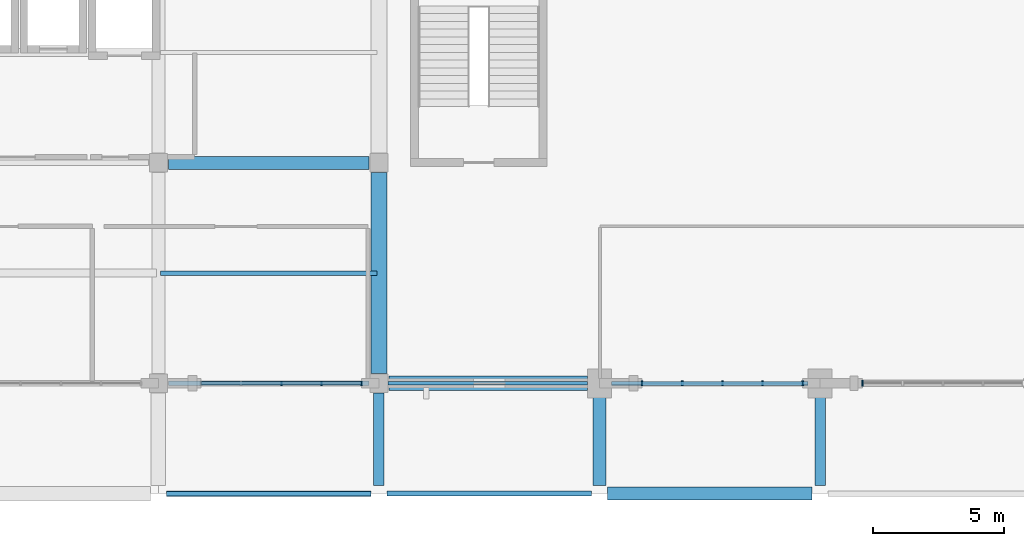
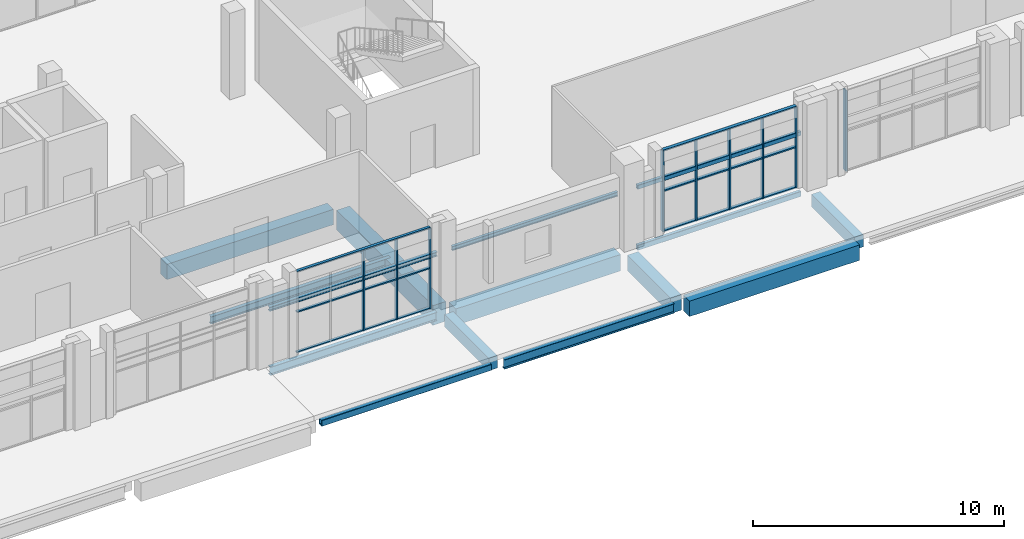
# One storey, part 19 of 59: 15 beams, 15 members, 3 elements without a shape of their own.
"""IFC4 building model written with IfcOpenShell, lengths in metres."""

from ifc_helpers import new_model, si_unit, derived_unit, direction, frame, origin, origin_2d, place, context, subcontext, project, spatial, rectangle, hollow_rectangle, i_section, extrude, material, material_profile, profile_set, type_object, element, aggregate, save


model = new_model("IFC4")

# Units and contexts
model_context = context("Model", 3, precision=1e-05, world=origin(), true_north=direction((0.0, 1.0)))
body_context = subcontext(model_context, "Body", "Model", "MODEL_VIEW")
ifc_project = project(units=[si_unit("LENGTHUNIT", "METRE"), si_unit("AREAUNIT", "SQUARE_METRE"), si_unit("VOLUMEUNIT", "CUBIC_METRE"), si_unit("PLANEANGLEUNIT", "RADIAN"), si_unit("MASSUNIT", "GRAM", prefix="KILO"), derived_unit("THERMALTRANSMITTANCEUNIT", [(si_unit("POWERUNIT", "WATT"), 1), (si_unit("LENGTHUNIT", "METRE"), -2), (si_unit("THERMODYNAMICTEMPERATUREUNIT", "KELVIN"), -1)])], contexts=[model_context])

# Site, building, storey
site_placement = place(None, origin())
site = spatial("IfcSite", under=ifc_project, at=site_placement, CompositionType="ELEMENT")
building_placement = place(site_placement, origin())
building = spatial("IfcBuilding", under=site, at=building_placement, Name="Barrovel Congress Hotel", CompositionType="ELEMENT")
storey_placement = place(building_placement, frame((0.0, 0.0, 9.89990234375)))
storey = spatial("IfcBuildingStorey", under=building, at=storey_placement, Name="L02", CompositionType="ELEMENT", Elevation=9.89990234375)

# Beams
ifc_material_1 = material(Name="Concrete C40", Category="concrete")
ifc_material_profile_1 = material_profile(ifc_material_1, rectangle(XDim=0.39990234375, YDim=0.60009765625, at=origin_2d()), Name="RC400x600")
ifc_profile_set_1 = profile_set([ifc_material_profile_1], Name="Concrete C40")
beam_type_1 = type_object("IfcBeamType", Name="BM-RC400x600", PredefinedType="BEAM", material=ifc_profile_set_1)
beam_1_placement = place(storey_placement, frame((100.800048828125, 0.300048828125, -0.559814453125), z_axis=(0.0, 1.0, 0.0), x_axis=(-1.0, 0.0, 0.0)))
element("IfcBeam", 1, at=beam_1_placement, inside=storey, type_object=beam_type_1, Name="BMY:L02:100.8:0.0-4.2", PredefinedType="BEAM", context=body_context, shape_type="SweptSolid", body=[
    extrude(rectangle(XDim=0.39990234375, YDim=0.60009765625, at=origin_2d()), origin(), (0.0, 0.0, 1.0), 3.52490234375),
])
beam_2_placement = place(storey_placement, frame((117.60009765625, 0.300048828125, -0.559814453125), z_axis=(0.0, 1.0, 0.0), x_axis=(-1.0, 0.0, 0.0)))
element("IfcBeam", 2, at=beam_2_placement, inside=storey, type_object=beam_type_1, Name="BMY:L02:117.6:0.0-4.2", PredefinedType="BEAM", context=body_context, shape_type="SweptSolid", body=[
    extrude(rectangle(XDim=0.39990234375, YDim=0.60009765625, at=origin_2d()), origin(), (0.0, 0.0, 1.0), 3.449951171875),
])
ifc_material_profile_2 = material_profile(ifc_material_1, rectangle(XDim=0.5, YDim=0.75, at=origin_2d()), Name="RC500x750")
ifc_profile_set_2 = profile_set([ifc_material_profile_2], Name="Concrete C40")
beam_type_2 = type_object("IfcBeamType", Name="BM-RC500x750", PredefinedType="BEAM", material=ifc_profile_set_2)
beam_3_placement = place(storey_placement, frame((109.5, 0.0, -0.635009765625), z_axis=(1.0, 0.0, 0.0), x_axis=(0.0, 1.0, 0.0)))
element("IfcBeam", 3, at=beam_3_placement, inside=storey, type_object=beam_type_2, Name="BMX:L02:0.0:109.2-117.6", PredefinedType="BEAM", context=body_context, shape_type="SweptSolid", body=[
    extrude(rectangle(XDim=0.5, YDim=0.75, at=origin_2d()), origin(), (0.0, 0.0, 1.0), 7.800048828125),
])
beam_4_placement = place(storey_placement, frame((92.77490234375, 12.60009765625, -0.635009765625), z_axis=(1.0, 0.0, 0.0), x_axis=(0.0, 1.0, 0.0)))
element("IfcBeam", 4, at=beam_4_placement, inside=storey, type_object=beam_type_2, Name="BMX:L02:12.6:92.4-100.8", PredefinedType="BEAM", context=body_context, shape_type="SweptSolid", body=[
    extrude(rectangle(XDim=0.5, YDim=0.75, at=origin_2d()), origin(), (0.0, 0.0, 1.0), 7.650146484375),
])
beam_5_placement = place(storey_placement, frame((109.199951171875, 0.300048828125, -0.635009765625), z_axis=(0.0, 1.0, 0.0), x_axis=(-1.0, 0.0, 0.0)))
element("IfcBeam", 5, at=beam_5_placement, inside=storey, type_object=beam_type_2, Name="BMY:L02:109.2:0.0-4.2", PredefinedType="BEAM", context=body_context, shape_type="SweptSolid", body=[
    extrude(rectangle(XDim=0.5, YDim=0.75, at=origin_2d()), origin(), (0.0, 0.0, 1.0), 3.449951171875),
])
ifc_material_profile_3 = material_profile(ifc_material_1, rectangle(XDim=0.550048828125, YDim=0.800048828125, at=origin_2d()), Name="RC550x800")
ifc_profile_set_3 = profile_set([ifc_material_profile_3], Name="Concrete C40")
beam_type_3 = type_object("IfcBeamType", Name="BM-RC550x800", PredefinedType="BEAM", material=ifc_profile_set_3)
beam_6_placement = place(storey_placement, frame((101.175048828125, 4.199951171875, -0.659912109375), z_axis=(1.0, 0.0, 0.0), x_axis=(0.0, 1.0, 0.0)))
element("IfcBeam", 6, at=beam_6_placement, inside=storey, type_object=beam_type_3, Name="BMX:L02:4.2:100.8-109.2", PredefinedType="BEAM", context=body_context, shape_type="SweptSolid", body=[
    extrude(rectangle(XDim=0.550048828125, YDim=0.800048828125, at=origin_2d()), origin(), (0.0, 0.0, 1.0), 7.574951171875),
])
ifc_material_profile_4 = material_profile(ifc_material_1, rectangle(XDim=0.60009765625, YDim=0.949951171875, at=origin_2d()), Name="RC600x950")
ifc_profile_set_4 = profile_set([ifc_material_profile_4], Name="Concrete C40")
beam_type_4 = type_object("IfcBeamType", Name="BM-RC600x950", PredefinedType="BEAM", material=ifc_profile_set_4)
beam_7_placement = place(storey_placement, frame((100.800048828125, 4.574951171875, -0.73486328125), z_axis=(0.0, 1.0, 0.0), x_axis=(-1.0, 0.0, 0.0)))
element("IfcBeam", 7, at=beam_7_placement, inside=storey, type_object=beam_type_4, Name="BMY:L02:100.8:4.2-12.6", PredefinedType="BEAM", context=body_context, shape_type="SweptSolid", body=[
    extrude(rectangle(XDim=0.60009765625, YDim=0.949951171875, at=origin_2d()), origin(), (0.0, 0.0, 1.0), 7.650146484375),
])

# Curtain wall, members
ifc_material_2 = material(Name="Anodised Aluminium Alloy 6063-T6", Category="aluminium")
curtain_wall_type = type_object("IfcCurtainWallType", Name="CW-ST-7200x3600", PredefinedType="USERDEFINED", material=ifc_material_2)
curtain_wall_1_placement = place(storey_placement, origin())
curtain_wall_1 = element("IfcCurtainWall", 8, at=curtain_wall_1_placement, inside=storey, type_object=curtain_wall_type, Name="CW:L02:S:11", ObjectType="STICK CURTAIN WALL", PredefinedType="USERDEFINED")
ifc_material_profile_5 = material_profile(ifc_material_2, rectangle(XDim=0.06005859375, YDim=0.1650390625, at=origin_2d()), Name="AL-M60x165")
ifc_profile_set_5 = profile_set([ifc_material_profile_5], Name="Anodised Aluminium Alloy 6063-T6")
member_type_1 = type_object("IfcMemberType", Name="CWM-AL-M60x165", PredefinedType="MULLION", material=ifc_profile_set_5)
member_1_placement = place(storey_placement, frame((97.080078125, 4.199951171875, 0.0), z_axis=(0.0, 0.0, 1.0), x_axis=(1.0, 0.0, 0.0)))
member_1 = element("IfcMember", 9, at=member_1_placement, type_object=member_type_1, Name="CW:L02:S:11:M2", PredefinedType="MULLION", context=body_context, shape_type="SweptSolid", body=[
    extrude(rectangle(XDim=0.06005859375, YDim=0.1650390625, at=origin_2d()), origin(), (0.0, 0.0, 1.0), 3.920166015625),
])
member_2_placement = place(storey_placement, frame((98.610107421875, 4.199951171875, 0.0), z_axis=(0.0, 0.0, 1.0), x_axis=(1.0, 0.0, 0.0)))
member_2 = element("IfcMember", 10, at=member_2_placement, type_object=member_type_1, Name="CW:L02:S:11:M3", PredefinedType="MULLION", context=body_context, shape_type="SweptSolid", body=[
    extrude(rectangle(XDim=0.06005859375, YDim=0.1650390625, at=origin_2d()), origin(), (0.0, 0.0, 1.0), 3.920166015625),
])
member_3_placement = place(storey_placement, frame((100.139892578125, 4.199951171875, 0.0), z_axis=(0.0, 0.0, 1.0), x_axis=(1.0, 0.0, 0.0)))
member_3 = element("IfcMember", 11, at=member_3_placement, type_object=member_type_1, Name="CW:L02:S:11:M4", PredefinedType="MULLION", context=body_context, shape_type="SweptSolid", body=[
    extrude(rectangle(XDim=0.06005859375, YDim=0.1650390625, at=origin_2d()), origin(), (0.0, 0.0, 1.0), 3.920166015625),
])

curtain_wall_2_placement = place(storey_placement, origin())
curtain_wall_2 = element("IfcCurtainWall", 12, at=curtain_wall_2_placement, inside=storey, type_object=curtain_wall_type, Name="CW:L02:S:13", ObjectType="STICK CURTAIN WALL", PredefinedType="USERDEFINED")
ifc_material_profile_6 = material_profile(ifc_material_2, rectangle(XDim=0.06494140625, YDim=0.18994140625, at=origin_2d()), Name="AL-M65x190")
ifc_profile_set_6 = profile_set([ifc_material_profile_6], Name="Anodised Aluminium Alloy 6063-T6")
member_type_2 = type_object("IfcMemberType", Name="CWM-AL-M65x190", PredefinedType="MULLION", material=ifc_profile_set_6)
member_4_placement = place(storey_placement, frame((110.820068359375, 4.199951171875, 0.0), z_axis=(0.0, 0.0, 1.0), x_axis=(1.0, 0.0, 0.0)))
member_4 = element("IfcMember", 13, at=member_4_placement, type_object=member_type_2, Name="CW:L02:S:13:M0", PredefinedType="MULLION", context=body_context, shape_type="SweptSolid", body=[
    extrude(rectangle(XDim=0.06494140625, YDim=0.18994140625, at=origin_2d()), origin(), (0.0, 0.0, 1.0), 3.920166015625),
])
member_5_placement = place(storey_placement, frame((112.35009765625, 4.199951171875, 0.0), z_axis=(0.0, 0.0, 1.0), x_axis=(1.0, 0.0, 0.0)))
member_5 = element("IfcMember", 14, at=member_5_placement, type_object=member_type_2, Name="CW:L02:S:13:M1", PredefinedType="MULLION", context=body_context, shape_type="SweptSolid", body=[
    extrude(rectangle(XDim=0.06494140625, YDim=0.18994140625, at=origin_2d()), origin(), (0.0, 0.0, 1.0), 3.920166015625),
])
member_6_placement = place(storey_placement, frame((113.8798828125, 4.199951171875, 0.0), z_axis=(0.0, 0.0, 1.0), x_axis=(1.0, 0.0, 0.0)))
member_6 = element("IfcMember", 15, at=member_6_placement, type_object=member_type_2, Name="CW:L02:S:13:M2", PredefinedType="MULLION", context=body_context, shape_type="SweptSolid", body=[
    extrude(rectangle(XDim=0.06494140625, YDim=0.18994140625, at=origin_2d()), origin(), (0.0, 0.0, 1.0), 3.920166015625),
])
member_7_placement = place(storey_placement, frame((115.409912109375, 4.199951171875, 0.0), z_axis=(0.0, 0.0, 1.0), x_axis=(1.0, 0.0, 0.0)))
member_7 = element("IfcMember", 16, at=member_7_placement, type_object=member_type_2, Name="CW:L02:S:13:M3", PredefinedType="MULLION", context=body_context, shape_type="SweptSolid", body=[
    extrude(rectangle(XDim=0.06494140625, YDim=0.18994140625, at=origin_2d()), origin(), (0.0, 0.0, 1.0), 3.920166015625),
])
member_8_placement = place(storey_placement, frame((116.93994140625, 4.199951171875, 0.0), z_axis=(0.0, 0.0, 1.0), x_axis=(1.0, 0.0, 0.0)))
member_8 = element("IfcMember", 17, at=member_8_placement, type_object=member_type_2, Name="CW:L02:S:13:M4", PredefinedType="MULLION", context=body_context, shape_type="SweptSolid", body=[
    extrude(rectangle(XDim=0.06494140625, YDim=0.18994140625, at=origin_2d()), origin(), (0.0, 0.0, 1.0), 3.920166015625),
])

# Curtain wall, member
curtain_wall_3_placement = place(storey_placement, origin())
curtain_wall_3 = element("IfcCurtainWall", 18, at=curtain_wall_3_placement, inside=storey, type_object=curtain_wall_type, Name="CW:L02:S:14", ObjectType="STICK CURTAIN WALL", PredefinedType="USERDEFINED")
ifc_material_profile_7 = material_profile(ifc_material_2, rectangle(XDim=0.06494140625, YDim=0.219970703125, at=origin_2d()), Name="AL-M65x220")
ifc_profile_set_7 = profile_set([ifc_material_profile_7], Name="Anodised Aluminium Alloy 6063-T6")
member_type_3 = type_object("IfcMemberType", Name="CWM-AL-M65x220", PredefinedType="MULLION", material=ifc_profile_set_7)
member_9_placement = place(storey_placement, frame((119.219970703125, 4.199951171875, 0.0), z_axis=(0.0, 0.0, 1.0), x_axis=(1.0, 0.0, 0.0)))
member_9 = element("IfcMember", 19, at=member_9_placement, type_object=member_type_3, Name="CW:L02:S:14:M0", PredefinedType="MULLION", context=body_context, shape_type="SweptSolid", body=[
    extrude(rectangle(XDim=0.06494140625, YDim=0.219970703125, at=origin_2d()), origin(), (0.0, 0.0, 1.0), 3.920166015625),
])
aggregate(curtain_wall_3, [member_9])

# Member
ifc_material_profile_8 = material_profile(ifc_material_2, rectangle(XDim=0.125, YDim=0.06005859375, at=origin_2d()), Name="AL-T60x125")
ifc_profile_set_8 = profile_set([ifc_material_profile_8], Name="Anodised Aluminium Alloy 6063-T6")
member_type_4 = type_object("IfcMemberType", Name="CWT-AL-T60x125", PredefinedType="USERDEFINED", material=ifc_profile_set_8)
member_10_placement = place(storey_placement, frame((94.02001953125, 4.199951171875, 0.0), z_axis=(1.0, 0.0, 0.0), x_axis=(0.0, 1.0, 0.0)))
member_10 = element("IfcMember", 20, at=member_10_placement, type_object=member_type_4, Name="CW:L02:S:11:T0", ObjectType="TRANSOM", PredefinedType="USERDEFINED", context=body_context, shape_type="SweptSolid", body=[
    extrude(rectangle(XDim=0.125, YDim=0.06005859375, at=origin_2d()), origin(), (0.0, 0.0, 1.0), 6.119873046875),
])

member_11_placement = place(storey_placement, frame((94.02001953125, 4.199951171875, 1.960205078125), z_axis=(1.0, 0.0, 0.0), x_axis=(0.0, 1.0, 0.0)))
member_11 = element("IfcMember", 21, at=member_11_placement, type_object=member_type_4, Name="CW:L02:S:11:T1", ObjectType="TRANSOM", PredefinedType="USERDEFINED", context=body_context, shape_type="SweptSolid", body=[
    extrude(rectangle(XDim=0.125, YDim=0.06005859375, at=origin_2d()), origin(), (0.0, 0.0, 1.0), 6.119873046875),
])

member_12_placement = place(storey_placement, frame((94.02001953125, 4.199951171875, 3.920166015625), z_axis=(1.0, 0.0, 0.0), x_axis=(0.0, 1.0, 0.0)))
member_12 = element("IfcMember", 22, at=member_12_placement, type_object=member_type_4, Name="CW:L02:S:11:T2", ObjectType="TRANSOM", PredefinedType="USERDEFINED", context=body_context, shape_type="SweptSolid", body=[
    extrude(rectangle(XDim=0.125, YDim=0.06005859375, at=origin_2d()), origin(), (0.0, 0.0, 1.0), 6.119873046875),
])

aggregate(curtain_wall_1, [member_1, member_2, member_3, member_10, member_11, member_12])

ifc_material_profile_9 = material_profile(ifc_material_2, rectangle(XDim=0.14990234375, YDim=0.06494140625, at=origin_2d()), Name="AL-T65x150")
ifc_profile_set_9 = profile_set([ifc_material_profile_9], Name="Anodised Aluminium Alloy 6063-T6")
member_type_5 = type_object("IfcMemberType", Name="CWT-AL-T65x150", PredefinedType="USERDEFINED", material=ifc_profile_set_9)
member_13_placement = place(storey_placement, frame((110.820068359375, 4.199951171875, 0.0), z_axis=(1.0, 0.0, 0.0), x_axis=(0.0, 1.0, 0.0)))
member_13 = element("IfcMember", 23, at=member_13_placement, type_object=member_type_5, Name="CW:L02:S:13:T0", ObjectType="TRANSOM", PredefinedType="USERDEFINED", context=body_context, shape_type="SweptSolid", body=[
    extrude(rectangle(XDim=0.14990234375, YDim=0.06494140625, at=origin_2d()), origin(), (0.0, 0.0, 1.0), 6.119873046875),
])

member_14_placement = place(storey_placement, frame((110.820068359375, 4.199951171875, 1.960205078125), z_axis=(1.0, 0.0, 0.0), x_axis=(0.0, 1.0, 0.0)))
member_14 = element("IfcMember", 24, at=member_14_placement, type_object=member_type_5, Name="CW:L02:S:13:T1", ObjectType="TRANSOM", PredefinedType="USERDEFINED", context=body_context, shape_type="SweptSolid", body=[
    extrude(rectangle(XDim=0.14990234375, YDim=0.06494140625, at=origin_2d()), origin(), (0.0, 0.0, 1.0), 6.119873046875),
])

member_15_placement = place(storey_placement, frame((110.820068359375, 4.199951171875, 3.920166015625), z_axis=(1.0, 0.0, 0.0), x_axis=(0.0, 1.0, 0.0)))
member_15 = element("IfcMember", 25, at=member_15_placement, type_object=member_type_5, Name="CW:L02:S:13:T2", ObjectType="TRANSOM", PredefinedType="USERDEFINED", context=body_context, shape_type="SweptSolid", body=[
    extrude(rectangle(XDim=0.14990234375, YDim=0.06494140625, at=origin_2d()), origin(), (0.0, 0.0, 1.0), 6.119873046875),
])

aggregate(curtain_wall_2, [member_4, member_5, member_6, member_7, member_8, member_13, member_14, member_15])

# Beams
ifc_material_3 = material(Name="Steel ASTM A500 Grade C", Category="steel")
ifc_material_profile_10 = material_profile(ifc_material_3, hollow_rectangle(XDim=0.15234375, YDim=0.203125, WallThickness=0.0087890625, InnerFilletRadius=0.0087890625, OuterFilletRadius=0.017578125, at=origin_2d()), Name="HSS203x152x9.5")
ifc_profile_set_10 = profile_set([ifc_material_profile_10], Name="Steel ASTM A500 Grade C")
beam_type_5 = type_object("IfcBeamType", Name="SBM-HSS203x152x9.5", PredefinedType="LINTEL", material=ifc_profile_set_10)
beam_8_placement = place(storey_placement, frame((109.64990234375, 4.199951171875, 2.548583984375), z_axis=(1.0, 0.0, 0.0), x_axis=(0.0, 1.0, 0.0)))
element("IfcBeam", 26, at=beam_8_placement, inside=storey, type_object=beam_type_5, Name="LIN:L02:109.2-117.6", PredefinedType="LINTEL", context=body_context, shape_type="SweptSolid", body=[
    extrude(hollow_rectangle(XDim=0.15234375, YDim=0.203125, WallThickness=0.0087890625, InnerFilletRadius=0.0087890625, OuterFilletRadius=0.017578125, at=origin_2d()), origin(), (0.0, 0.0, 1.0), 7.5),
])
ifc_material_profile_11 = material_profile(ifc_material_3, hollow_rectangle(XDim=0.15234375, YDim=0.25390625, WallThickness=0.0087890625, InnerFilletRadius=0.0087890625, OuterFilletRadius=0.017578125, at=origin_2d()), Name="HSS254x152x9.5")
ifc_profile_set_11 = profile_set([ifc_material_profile_11], Name="Steel ASTM A500 Grade C")
beam_type_6 = type_object("IfcBeamType", Name="SBM-HSS254x152x9.5", PredefinedType="SPANDREL", material=ifc_profile_set_11)
beam_9_placement = place(storey_placement, frame((109.64990234375, 4.199951171875, -0.386962890625), z_axis=(1.0, 0.0, 0.0), x_axis=(0.0, 1.0, 0.0)))
element("IfcBeam", 27, at=beam_9_placement, inside=storey, type_object=beam_type_6, Name="BMX:L02:4.2:109.2-117.6", PredefinedType="SPANDREL", context=body_context, shape_type="SweptSolid", body=[
    extrude(hollow_rectangle(XDim=0.15234375, YDim=0.25390625, WallThickness=0.0087890625, InnerFilletRadius=0.0087890625, OuterFilletRadius=0.017578125, at=origin_2d()), origin(), (0.0, 0.0, 1.0), 7.5),
])
ifc_material_profile_12 = material_profile(ifc_material_3, hollow_rectangle(XDim=0.203125, YDim=0.3046875, WallThickness=0.01171875, InnerFilletRadius=0.01171875, OuterFilletRadius=0.023681640625, at=origin_2d()), Name="HSS305x203x12.7")
ifc_profile_set_12 = profile_set([ifc_material_profile_12], Name="Steel ASTM A500 Grade C")
beam_type_7 = type_object("IfcBeamType", Name="SBM-HSS305x203x12.7", PredefinedType="SPANDREL", material=ifc_profile_set_12)
beam_10_placement = place(storey_placement, frame((92.699951171875, 0.0, -0.412353515625), z_axis=(1.0, 0.0, 0.0), x_axis=(0.0, 1.0, 0.0)))
element("IfcBeam", 28, at=beam_10_placement, inside=storey, type_object=beam_type_7, Name="BMX:L02:0.0:92.4-100.8", PredefinedType="SPANDREL", context=body_context, shape_type="SweptSolid", body=[
    extrude(hollow_rectangle(XDim=0.203125, YDim=0.3046875, WallThickness=0.01171875, InnerFilletRadius=0.01171875, OuterFilletRadius=0.023681640625, at=origin_2d()), origin(), (0.0, 0.0, 1.0), 7.800048828125),
])
ifc_material_4 = material(Name="Steel ASTM A992 Grade 50", Category="steel")
ifc_material_profile_13 = material_profile(ifc_material_4, i_section(OverallWidth=0.133056640625, OverallDepth=0.20703125, WebThickness=0.005859375, FlangeThickness=0.00830078125, FilletRadius=0.010009765625, at=origin_2d()), Name="W200x27")
ifc_profile_set_13 = profile_set([ifc_material_profile_13], Name="Steel ASTM A992 Grade 50")
beam_type_8 = type_object("IfcBeamType", Name="SBM-W200x27", PredefinedType="LINTEL", material=ifc_profile_set_13)
beam_11_placement = place(storey_placement, frame((101.14990234375, 4.199951171875, 2.546630859375), z_axis=(1.0, 0.0, 0.0), x_axis=(0.0, 1.0, 0.0)))
element("IfcBeam", 29, at=beam_11_placement, inside=storey, type_object=beam_type_8, Name="LIN:L02:100.8-109.2", PredefinedType="LINTEL", context=body_context, shape_type="SweptSolid", body=[
    extrude(i_section(OverallWidth=0.133056640625, OverallDepth=0.20703125, WebThickness=0.005859375, FlangeThickness=0.00830078125, FilletRadius=0.010009765625, at=origin_2d()), origin(), (0.0, 0.0, 1.0), 7.60009765625),
])
ifc_material_profile_14 = material_profile(ifc_material_4, i_section(OverallWidth=0.166015625, OverallDepth=0.205078125, WebThickness=0.007080078125, FlangeThickness=0.01171875, FilletRadius=0.010009765625, at=origin_2d()), Name="W200x42")
ifc_profile_set_14 = profile_set([ifc_material_profile_14], Name="Steel ASTM A992 Grade 50")
beam_type_9 = type_object("IfcBeamType", Name="SBM-W200x42", PredefinedType="LINTEL", material=ifc_profile_set_14)
beam_12_placement = place(storey_placement, frame((92.75, 4.199951171875, 2.547607421875), z_axis=(1.0, 0.0, 0.0), x_axis=(0.0, 1.0, 0.0)))
element("IfcBeam", 30, at=beam_12_placement, inside=storey, type_object=beam_type_9, Name="LIN:L02:92.4-100.8", PredefinedType="LINTEL", context=body_context, shape_type="SweptSolid", body=[
    extrude(i_section(OverallWidth=0.166015625, OverallDepth=0.205078125, WebThickness=0.007080078125, FlangeThickness=0.01171875, FilletRadius=0.010009765625, at=origin_2d()), origin(), (0.0, 0.0, 1.0), 7.699951171875),
])
ifc_material_profile_15 = material_profile(ifc_material_4, i_section(OverallWidth=0.1708984375, OverallDepth=0.35205078125, WebThickness=0.0068359375, FlangeThickness=0.009765625, FilletRadius=0.011962890625, at=origin_2d()), Name="W360x44")
ifc_profile_set_15 = profile_set([ifc_material_profile_15], Name="Steel ASTM A992 Grade 50")
beam_type_10 = type_object("IfcBeamType", Name="SBM-W360x44", PredefinedType="JOIST", material=ifc_profile_set_15)
beam_13_placement = place(storey_placement, frame((92.47998046875, 8.39990234375, -0.435791015625), z_axis=(1.0, 0.0, 0.0), x_axis=(0.0, 1.0, 0.0)))
element("IfcBeam", 31, at=beam_13_placement, inside=storey, type_object=beam_type_10, Name="JST:L02:92.4:8.4", PredefinedType="JOIST", context=body_context, shape_type="SweptSolid", body=[
    extrude(i_section(OverallWidth=0.1708984375, OverallDepth=0.35205078125, WebThickness=0.0068359375, FlangeThickness=0.009765625, FilletRadius=0.011962890625, at=origin_2d()), origin(), (0.0, 0.0, 1.0), 8.239990234375),
])
ifc_material_profile_16 = material_profile(ifc_material_4, i_section(OverallWidth=0.178955078125, OverallDepth=0.409912109375, WebThickness=0.0087890625, FlangeThickness=0.014404296875, FilletRadius=0.011962890625, at=origin_2d()), Name="W410x67")
ifc_profile_set_16 = profile_set([ifc_material_profile_16], Name="Steel ASTM A992 Grade 50")
beam_type_11 = type_object("IfcBeamType", Name="SBM-W410x67", PredefinedType="BEAM", material=ifc_profile_set_16)
beam_14_placement = place(storey_placement, frame((92.77490234375, 4.199951171875, -0.46484375), z_axis=(1.0, 0.0, 0.0), x_axis=(0.0, 1.0, 0.0)))
element("IfcBeam", 32, at=beam_14_placement, inside=storey, type_object=beam_type_11, Name="BMX:L02:4.2:92.4-100.8", PredefinedType="BEAM", context=body_context, shape_type="SweptSolid", body=[
    extrude(i_section(OverallWidth=0.178955078125, OverallDepth=0.409912109375, WebThickness=0.0087890625, FlangeThickness=0.014404296875, FilletRadius=0.011962890625, at=origin_2d()), origin(), (0.0, 0.0, 1.0), 7.650146484375),
])
ifc_material_profile_17 = material_profile(ifc_material_4, i_section(OverallWidth=0.19091796875, OverallDepth=0.4599609375, WebThickness=0.010009765625, FlangeThickness=0.01611328125, FilletRadius=0.012939453125, at=origin_2d()), Name="W460x82")
ifc_profile_set_17 = profile_set([ifc_material_profile_17], Name="Steel ASTM A992 Grade 50")
beam_type_12 = type_object("IfcBeamType", Name="SBM-W460x82", PredefinedType="BEAM", material=ifc_profile_set_17)
beam_15_placement = place(storey_placement, frame((101.10009765625, 0.0, -0.489990234375), z_axis=(1.0, 0.0, 0.0), x_axis=(0.0, 1.0, 0.0)))
element("IfcBeam", 33, at=beam_15_placement, inside=storey, type_object=beam_type_12, Name="BMX:L02:0.0:100.8-109.2", PredefinedType="BEAM", context=body_context, shape_type="SweptSolid", body=[
    extrude(i_section(OverallWidth=0.19091796875, OverallDepth=0.4599609375, WebThickness=0.010009765625, FlangeThickness=0.01611328125, FilletRadius=0.012939453125, at=origin_2d()), origin(), (0.0, 0.0, 1.0), 7.7998046875),
])

save(model, "model.ifc")
